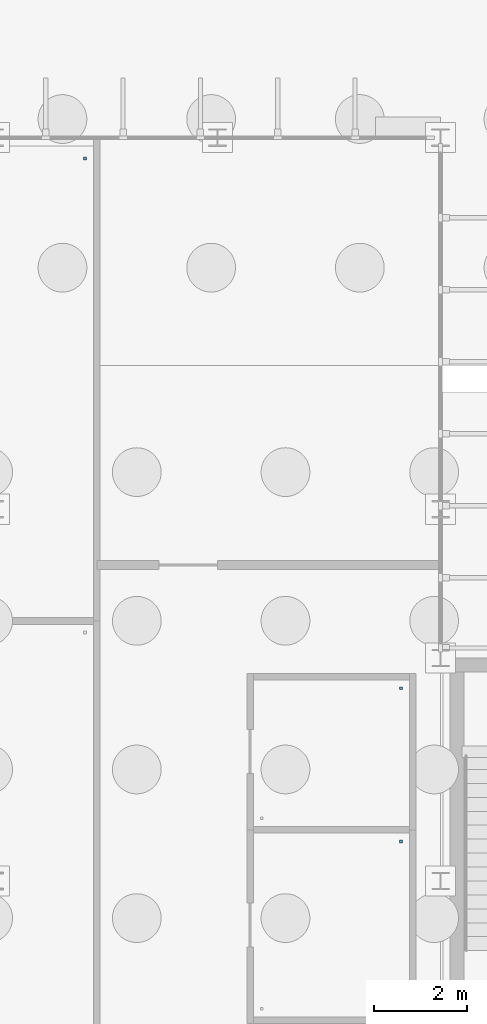
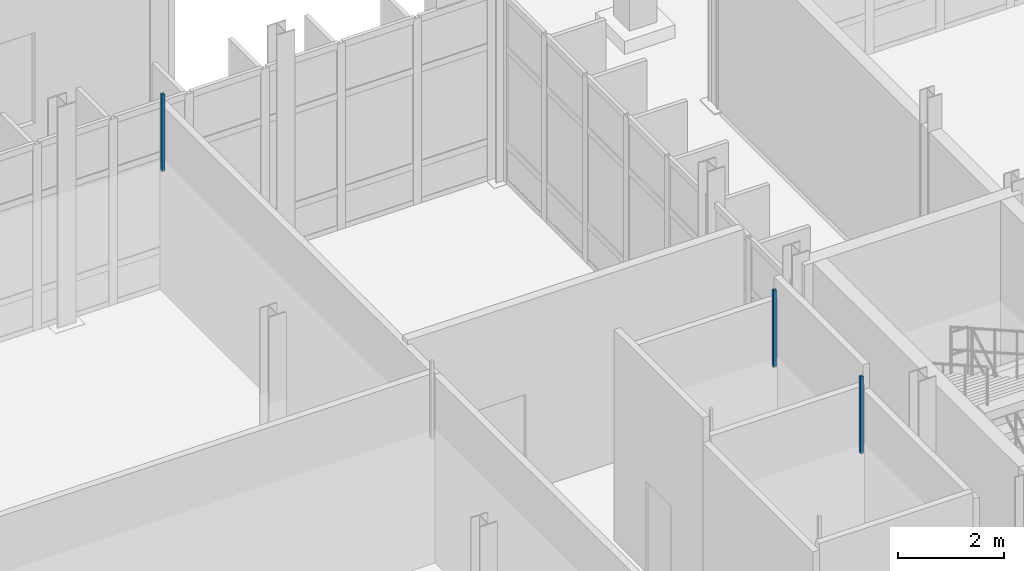
# One storey, part 72 of 111: 3 discrete accessories.
"""IFC4 building model written with IfcOpenShell, lengths in metres."""

from ifc_helpers import new_model, si_unit, direction, frame, origin, place, context, subcontext, project, spatial, polyline, outline, extrude, material, type_object, element, save


model = new_model("IFC4")

# Units and contexts
model_context = context("Model", 3, precision=1e-05, world=origin(), true_north=direction((0.0, 1.0)))
body_context = subcontext(model_context, "Body", "Model", "MODEL_VIEW")
ifc_project = project(units=[si_unit("LENGTHUNIT", "METRE"), si_unit("AREAUNIT", "SQUARE_METRE"), si_unit("VOLUMEUNIT", "CUBIC_METRE"), si_unit("PLANEANGLEUNIT", "RADIAN"), si_unit("MASSUNIT", "GRAM", prefix="KILO")], contexts=[model_context])

# Site, building, storey
site_placement = place(None, origin())
site = spatial("IfcSite", under=ifc_project, at=site_placement, CompositionType="ELEMENT")
building_placement = place(site_placement, origin())
building = spatial("IfcBuilding", under=site, at=building_placement, Name="Dunescarp Central Library", CompositionType="ELEMENT")
storey_placement = place(building_placement, origin())
storey = spatial("IfcBuildingStorey", under=building, at=storey_placement, Name="L00", CompositionType="ELEMENT", Elevation=0.0)

# Discrete accessories
ifc_material = material(Name="Stainless steel Grade 316L", Category="steel")
discrete_accessory_type = type_object("IfcDiscreteAccessoryType", Name="ARC-ACC-BRK", PredefinedType="BRACKET", material=ifc_material)
discrete_accessory_1_placement = place(storey_placement, frame((0.0, 0.0, 3.06005859375)))
element("IfcDiscreteAccessory", 1, at=discrete_accessory_1_placement, inside=storey, type_object=discrete_accessory_type, Name="L00 ceiling hanger CLG-L00-001-H2", PredefinedType="BRACKET", context=body_context, shape_type="SweptSolid", body=[
    extrude(outline(polyline([(32.719970703125, 21.6201171875), (32.780029296875, 21.6201171875), (32.780029296875, 21.679931640625), (32.719970703125, 21.679931640625), (32.719970703125, 21.6201171875)])), origin(), (0.0, 0.0, 1.0), 1.780029296875),
])
discrete_accessory_2_placement = place(storey_placement, frame((0.0, 0.0, 3.06005859375)))
element("IfcDiscreteAccessory", 2, at=discrete_accessory_2_placement, inside=storey, type_object=discrete_accessory_type, Name="L00 ceiling hanger CLG-L00-002-H2", PredefinedType="BRACKET", context=body_context, shape_type="SweptSolid", body=[
    extrude(outline(polyline([(32.719970703125, 24.919921875), (32.780029296875, 24.919921875), (32.780029296875, 24.97998046875), (32.719970703125, 24.97998046875), (32.719970703125, 24.919921875)])), origin(), (0.0, 0.0, 1.0), 1.780029296875),
])
discrete_accessory_3_placement = place(storey_placement, frame((0.0, 0.0, 3.06005859375)))
element("IfcDiscreteAccessory", 3, at=discrete_accessory_3_placement, inside=storey, type_object=discrete_accessory_type, Name="L00 ceiling hanger CLG-L00-006-H2", PredefinedType="BRACKET", context=body_context, shape_type="SweptSolid", body=[
    extrude(outline(polyline([(25.919921875, 36.320068359375), (25.97998046875, 36.320068359375), (25.97998046875, 36.3798828125), (25.919921875, 36.3798828125), (25.919921875, 36.320068359375)])), origin(), (0.0, 0.0, 1.0), 1.780029296875),
])

save(model, "model.ifc")
